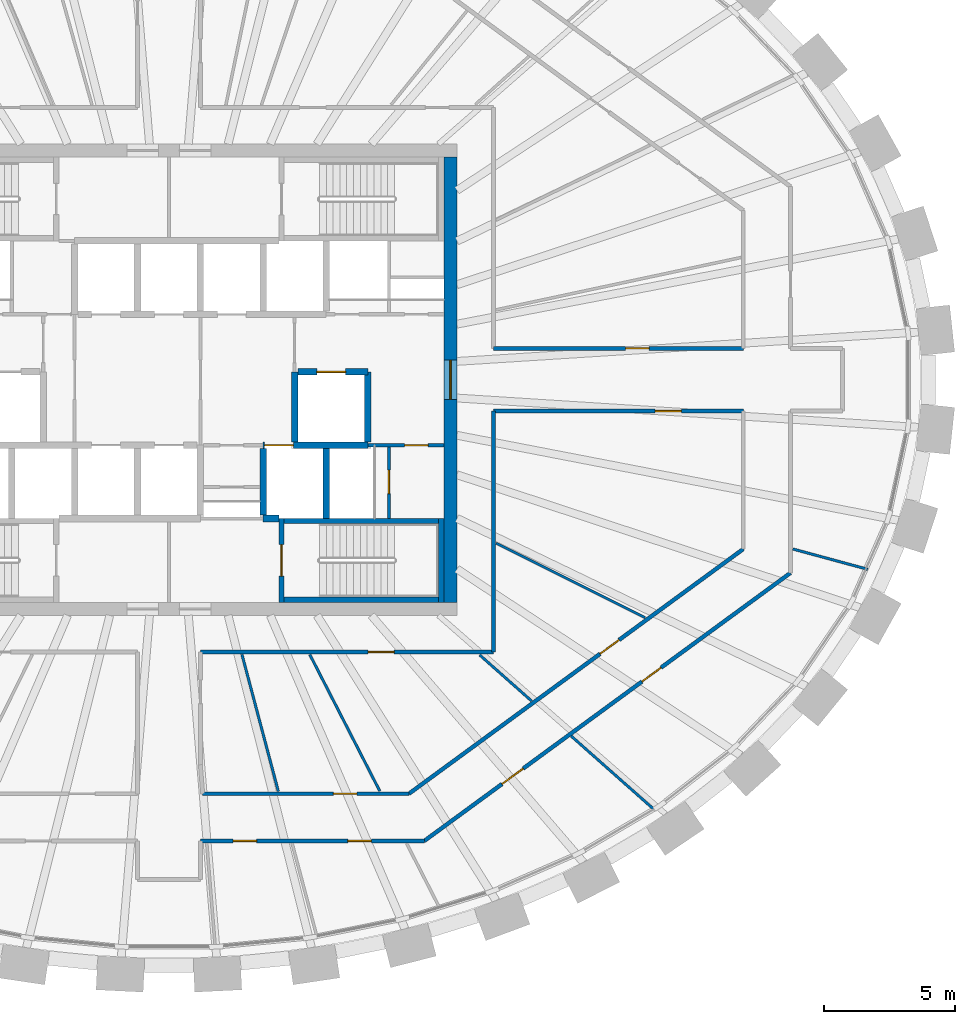
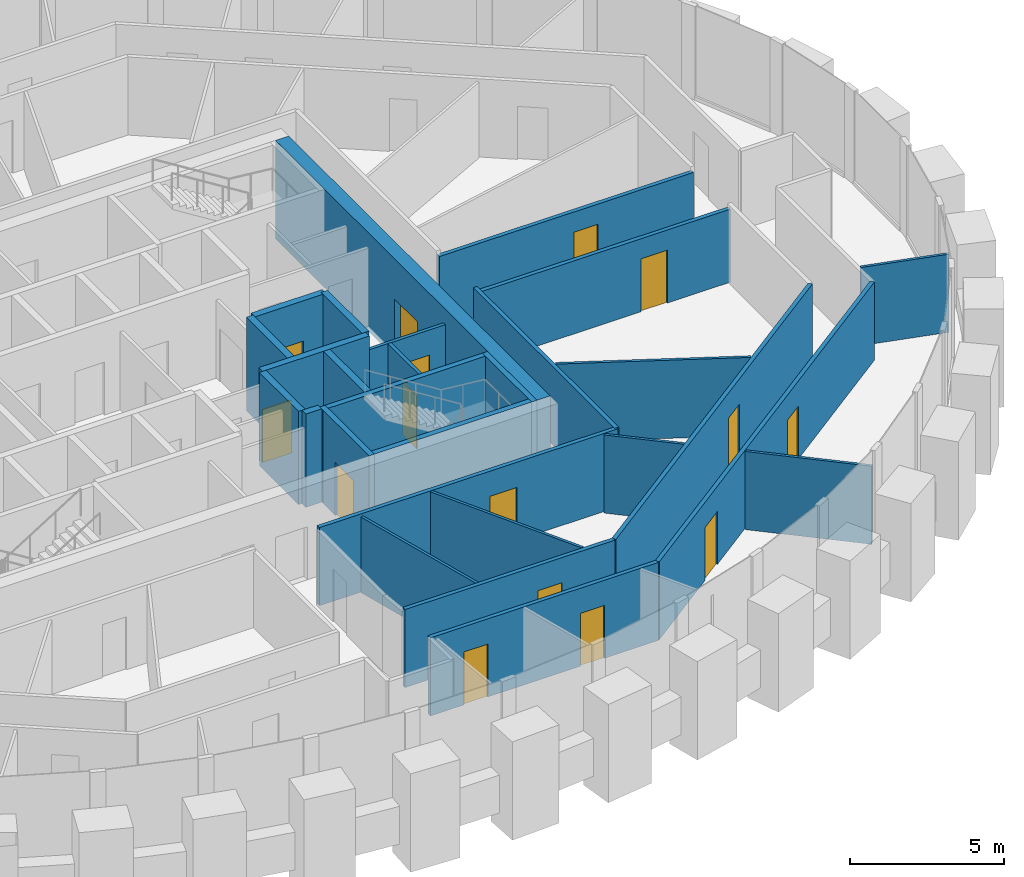
# One storey, part 8 of 11: 28 walls, 15 doors, 15 openings.
"""IFC4 building model written with IfcOpenShell, lengths in metres."""

from ifc_helpers import new_model, si_unit, direction, frame, frame_2d, origin, place, context, subcontext, project, spatial, rectangle, extrude, source, transform, mapped, material, layer, layer_set, type_object, element, fill, save


model = new_model("IFC4")

# Units and contexts
model_context = context("Model", 3, precision=1e-05, world=origin(), true_north=direction((0.0, 1.0)))
body_context = subcontext(model_context, "Body", "Model", "MODEL_VIEW")
ifc_project = project(units=[si_unit("LENGTHUNIT", "METRE"), si_unit("AREAUNIT", "SQUARE_METRE"), si_unit("VOLUMEUNIT", "CUBIC_METRE"), si_unit("PLANEANGLEUNIT", "RADIAN"), si_unit("MASSUNIT", "GRAM", prefix="KILO")], contexts=[model_context])

# Site, building, storey
site_placement = place(None, origin())
site = spatial("IfcSite", under=ifc_project, at=site_placement, CompositionType="ELEMENT")
building_placement = place(site_placement, origin())
building = spatial("IfcBuilding", under=site, at=building_placement, Name="Embergate Tower", CompositionType="ELEMENT")
storey_placement = place(building_placement, frame((0.0, 0.0, 324.699951171875)))
storey = spatial("IfcBuildingStorey", under=building, at=storey_placement, Name="L76", CompositionType="ELEMENT", Elevation=324.699951171875)

# Wall, opening, door
ifc_material_1 = material(Name="Concrete C50", Category="concrete")
ifc_layer_1 = layer(ifc_material_1, 0.5)
ifc_layer_set_1 = layer_set([ifc_layer_1], Name="Concrete C50")
wall_type_1 = type_object("IfcWallType", Name="Core outer wall C50 500", PredefinedType="SHEAR", material=ifc_layer_set_1)
shared_shape_1 = source(origin(), body_context, "Body", "SweptSolid", [
    extrude(rectangle(XDim=17.0, YDim=0.5, at=frame_2d((8.5, 0.0))), origin(), (0.0, 0.0, 1.0), 3.89990234375),
])
wall_1_placement = place(storey_placement, frame((10.75, -8.5, -0.199951171875), z_axis=(0.0, 0.0, 1.0), x_axis=(0.0, 1.0, 0.0)))
wall_1 = element("IfcWall", 1, at=wall_1_placement, inside=storey, type_object=wall_type_1, Name="CW-L76-E", PredefinedType="SHEAR", context=body_context, shape_type="MappedRepresentation", body=[
    mapped(shared_shape_1, transform((0.0, 0.0, 0.0))),
])
shared_shape_2 = source(origin(), body_context, "Body", "SweptSolid", [
    extrude(rectangle(XDim=1.5, YDim=2.10009765625, at=frame_2d((0.75, 1.050048828125))), frame((0.0, 0.260009765625, 0.0), z_axis=(0.0, -1.0, 0.0), x_axis=(1.0, 0.0, 0.0)), (0.0, 0.0, 1.0), 0.52001953125),
])
opening_1_placement = place(wall_1_placement, frame((7.75, 0.0, 0.199951171875)))
opening_1 = element("IfcOpeningElement", 2, at=opening_1_placement, cuts=wall_1, Name="Opening IF-3", PredefinedType="OPENING", context=body_context, shape_type="MappedRepresentation", body=[
    mapped(shared_shape_2, transform((0.0, 0.0, 0.0))),
])
ifc_material_2 = material(Name="Lobby fire door pair 1500")
door_type_1 = type_object("IfcDoorType", Name="Lobby fire door pair 1500", OperationType="DOUBLE_DOOR_SINGLE_SWING", PredefinedType="DOOR", material=ifc_material_2)
shared_shape_3 = source(origin(), body_context, "Body", "SweptSolid", [
    extrude(rectangle(XDim=1.5, YDim=2.10009765625, at=frame_2d((0.75, 1.050048828125))), frame((0.0, 0.02490234375, 0.0), z_axis=(0.0, -1.0, 0.0), x_axis=(1.0, 0.0, 0.0)), (0.0, 0.0, 1.0), 0.050048828125),
])
door_1_placement = place(opening_1_placement, origin())
door_1 = element("IfcDoor", 3, at=door_1_placement, inside=storey, type_object=door_type_1, Name="IF-3 door", OperationType="DOUBLE_DOOR_SINGLE_SWING", OverallHeight=2.10009765625, OverallWidth=1.5, PredefinedType="DOOR", context=body_context, shape_type="MappedRepresentation", body=[
    mapped(shared_shape_3, transform((0.0, 0.0, 0.0))),
])
fill(opening_1, door_1)

# Walls
ifc_layer_2 = layer(ifc_material_1, 0.25)
ifc_layer_set_2 = layer_set([ifc_layer_2], Name="Concrete C50")
wall_type_2 = type_object("IfcWallType", Name="Hoistway wall reinforced concrete 250", PredefinedType="SHEAR", material=ifc_layer_set_2)
shared_shape_4 = source(origin(), body_context, "Body", "SweptSolid", [
    extrude(rectangle(XDim=2.675048828125, YDim=0.25, at=frame_2d((1.33740234375, 0.0))), origin(), (0.0, 0.0, 1.0), 3.699951171875),
])
for number, where, z_axis, x_axis, name in (
    (4, (6.0, -5.300048828125, 0.0), (0.0, 0.0, 1.0), (0.0, 1.0, 0.0), "HW-1 wall"),
    (5, (4.800048828125, -2.375, 0.0), (0.0, 0.0, 1.0), (0.0, 1.0, 0.0), "HW-1 wall"),
):
    element("IfcWall", number, at=place(storey_placement, frame(where, z_axis=z_axis, x_axis=x_axis)), inside=storey, type_object=wall_type_2, Name=name, PredefinedType="SHEAR", context=body_context, shape_type="MappedRepresentation", body=[
        mapped(shared_shape_4, transform((0.0, 0.0, 0.0))),
    ])

# Wall, opening, door
wall_2_placement = place(storey_placement, frame((7.60009765625, 0.300048828125, 0.0), z_axis=(0.0, 0.0, 1.0), x_axis=(-1.0, 0.0, 0.0)))
wall_2 = element("IfcWall", 6, at=wall_2_placement, inside=storey, type_object=wall_type_2, Name="HW-1 wall", PredefinedType="SHEAR", context=body_context, shape_type="MappedRepresentation", body=[
    mapped(shared_shape_4, transform((0.0, 0.0, 0.0))),
])
shared_shape_5 = source(origin(), body_context, "Body", "SweptSolid", [
    extrude(rectangle(XDim=1.10009765625, YDim=2.10009765625, at=frame_2d((0.550048828125, 1.050048828125))), frame((0.0, 0.135009765625, 0.0), z_axis=(0.0, -1.0, 0.0), x_axis=(1.0, 0.0, 0.0)), (0.0, 0.0, 1.0), 0.27001953125),
])
opening_2_placement = place(wall_2_placement, frame((0.85009765625, 0.0, 0.0)))
opening_2 = element("IfcOpeningElement", 7, at=opening_2_placement, cuts=wall_2, Name="Opening LD", PredefinedType="OPENING", context=body_context, shape_type="MappedRepresentation", body=[
    mapped(shared_shape_5, transform((0.0, 0.0, 0.0))),
])
ifc_material_3 = material(Name="Landing door sliding 1100")
door_type_2 = type_object("IfcDoorType", Name="Landing door sliding 1100", OperationType="SLIDING_TO_LEFT", PredefinedType="DOOR", material=ifc_material_3)
shared_shape_6 = source(origin(), body_context, "Body", "SweptSolid", [
    extrude(rectangle(XDim=1.10009765625, YDim=2.10009765625, at=frame_2d((0.550048828125, 1.050048828125))), frame((0.0, 0.02490234375, 0.0), z_axis=(0.0, -1.0, 0.0), x_axis=(1.0, 0.0, 0.0)), (0.0, 0.0, 1.0), 0.050048828125),
])
door_2_placement = place(opening_2_placement, origin())
door_2 = element("IfcDoor", 8, at=door_2_placement, inside=storey, type_object=door_type_2, Name="LD door", OperationType="SLIDING_TO_RIGHT", OverallHeight=2.10009765625, OverallWidth=1.10009765625, PredefinedType="DOOR", context=body_context, shape_type="MappedRepresentation", body=[
    mapped(shared_shape_6, transform((0.0, 0.0, 0.0))),
])
fill(opening_2, door_2)

# Walls
wall_3_placement = place(storey_placement, frame((7.60009765625, -2.375, 0.0), z_axis=(0.0, 0.0, 1.0), x_axis=(0.0, 1.0, 0.0)))
element("IfcWall", 9, at=wall_3_placement, inside=storey, type_object=wall_type_2, Name="HW-1 wall", PredefinedType="SHEAR", context=body_context, shape_type="MappedRepresentation", body=[
    mapped(shared_shape_4, transform((0.0, 0.0, 0.0))),
])
ifc_layer_3 = layer(ifc_material_1, 0.199951171875)
ifc_layer_set_3 = layer_set([ifc_layer_3], Name="Concrete C50")
wall_type_3 = type_object("IfcWallType", Name="Stair enclosure wall reinforced concrete 250", PredefinedType="SHEAR", material=ifc_layer_set_3)
shared_shape_7 = source(origin(), body_context, "Body", "SweptSolid", [
    extrude(rectangle(XDim=6.300048828125, YDim=0.199951171875, at=frame_2d((3.14990234375, 0.0))), origin(), (0.0, 0.0, 1.0), 3.699951171875),
])
wall_4_placement = place(storey_placement, frame((4.199951171875, -5.39990234375, 0.0), z_axis=(0.0, 0.0, 1.0), x_axis=(1.0, 0.0, 0.0)))
element("IfcWall", 10, at=wall_4_placement, inside=storey, type_object=wall_type_3, Name="SE-1 wall", PredefinedType="SHEAR", context=body_context, shape_type="MappedRepresentation", body=[
    mapped(shared_shape_7, transform((0.0, 0.0, 0.0))),
])

# Wall, opening, door
ifc_material_4 = material(Name="Core partition blockwork 120")
ifc_layer_4 = layer(ifc_material_4, 0.1201171875)
ifc_layer_set_4 = layer_set([ifc_layer_4], Name="Core partition blockwork 120")
wall_type_4 = type_object("IfcWallType", Name="Core partition blockwork 120", PredefinedType="PARTITIONING", material=ifc_layer_set_4)
shared_shape_8 = source(origin(), body_context, "Body", "SweptSolid", [
    extrude(rectangle(XDim=2.739990234375, YDim=0.1201171875, at=frame_2d((1.3701171875, 0.0))), origin(), (0.0, 0.0, 1.0), 3.10009765625),
])
wall_5_placement = place(storey_placement, frame((8.39990234375, -5.300048828125, 0.0), z_axis=(0.0, 0.0, 1.0), x_axis=(0.0, 1.0, 0.0)))
wall_5 = element("IfcWall", 11, at=wall_5_placement, inside=storey, type_object=wall_type_4, Name="IP-3 wall", PredefinedType="PARTITIONING", context=body_context, shape_type="MappedRepresentation", body=[
    mapped(shared_shape_8, transform((0.0, 0.0, 0.0))),
])
shared_shape_9 = source(origin(), body_context, "Body", "SweptSolid", [
    extrude(rectangle(XDim=0.89990234375, YDim=2.10009765625, at=frame_2d((0.449951171875, 1.050048828125))), frame((0.0, 0.070068359375, 0.0), z_axis=(0.0, -1.0, 0.0), x_axis=(1.0, 0.0, 0.0)), (0.0, 0.0, 1.0), 0.14013671875),
])
opening_3_placement = place(wall_5_placement, frame((0.949951171875, 0.0, 0.0)))
opening_3 = element("IfcOpeningElement", 12, at=opening_3_placement, cuts=wall_5, Name="Opening ID-1", PredefinedType="OPENING", context=body_context, shape_type="MappedRepresentation", body=[
    mapped(shared_shape_9, transform((0.0, 0.0, 0.0))),
])
ifc_material_5 = material(Name="Interior door 900")
door_type_3 = type_object("IfcDoorType", Name="Interior door 900", OperationType="SINGLE_SWING_LEFT", PredefinedType="DOOR", material=ifc_material_5)
shared_shape_10 = source(origin(), body_context, "Body", "SweptSolid", [
    extrude(rectangle(XDim=0.89990234375, YDim=2.10009765625, at=frame_2d((0.449951171875, 1.050048828125))), frame((0.0, 0.02490234375, 0.0), z_axis=(0.0, -1.0, 0.0), x_axis=(1.0, 0.0, 0.0)), (0.0, 0.0, 1.0), 0.050048828125),
])
door_3_placement = place(opening_3_placement, origin())
door_3 = element("IfcDoor", 13, at=door_3_placement, inside=storey, type_object=door_type_3, Name="ID-1 door", OperationType="SINGLE_SWING_RIGHT", OverallHeight=2.10009765625, OverallWidth=0.89990234375, PredefinedType="DOOR", context=body_context, shape_type="MappedRepresentation", body=[
    mapped(shared_shape_10, transform((0.0, 0.0, 0.0))),
])
fill(opening_3, door_3)

# Wall
shared_shape_11 = source(origin(), body_context, "Body", "SweptSolid", [
    extrude(rectangle(XDim=2.550048828125, YDim=0.25, at=frame_2d((1.27490234375, 0.0))), origin(), (0.0, 0.0, 1.0), 3.699951171875),
])
wall_6_placement = place(storey_placement, frame((3.60009765625, -2.625, 0.0), z_axis=(0.0, 0.0, 1.0), x_axis=(0.0, -1.0, 0.0)))
element("IfcWall", 14, at=wall_6_placement, inside=storey, type_object=wall_type_2, Name="HW-1 wall", PredefinedType="SHEAR", context=body_context, shape_type="MappedRepresentation", body=[
    mapped(shared_shape_11, transform((0.0, 0.0, 0.0))),
])

# Wall, opening, door
shared_shape_12 = source(origin(), body_context, "Body", "SweptSolid", [
    extrude(rectangle(XDim=3.199951171875, YDim=0.199951171875, at=frame_2d((1.60009765625, 0.0))), origin(), (0.0, 0.0, 1.0), 3.699951171875),
])
wall_7_placement = place(storey_placement, frame((4.300048828125, -5.300048828125, 0.0), z_axis=(0.0, 0.0, 1.0), x_axis=(0.0, -1.0, 0.0)))
wall_7 = element("IfcWall", 15, at=wall_7_placement, inside=storey, type_object=wall_type_3, Name="SE-1 wall", PredefinedType="SHEAR", context=body_context, shape_type="MappedRepresentation", body=[
    mapped(shared_shape_12, transform((0.0, 0.0, 0.0))),
])
shared_shape_13 = source(origin(), body_context, "Body", "SweptSolid", [
    extrude(rectangle(XDim=1.199951171875, YDim=2.10009765625, at=frame_2d((0.60009765625, 1.050048828125))), frame((0.0, 0.10986328125, 0.0), z_axis=(0.0, -1.0, 0.0), x_axis=(1.0, 0.0, 0.0)), (0.0, 0.0, 1.0), 0.219970703125),
])
opening_4_placement = place(wall_7_placement, frame((1.0, 0.0, 0.0)))
opening_4 = element("IfcOpeningElement", 16, at=opening_4_placement, cuts=wall_7, Name="Opening IF-2", PredefinedType="OPENING", context=body_context, shape_type="MappedRepresentation", body=[
    mapped(shared_shape_13, transform((0.0, 0.0, 0.0))),
])
ifc_material_6 = material(Name="Stair enclosure door 1200")
door_type_4 = type_object("IfcDoorType", Name="Stair enclosure door 1200", OperationType="SINGLE_SWING_LEFT", PredefinedType="DOOR", material=ifc_material_6)
shared_shape_14 = source(origin(), body_context, "Body", "SweptSolid", [
    extrude(rectangle(XDim=1.199951171875, YDim=2.10009765625, at=frame_2d((0.60009765625, 1.050048828125))), frame((0.0, 0.02490234375, 0.0), z_axis=(0.0, -1.0, 0.0), x_axis=(1.0, 0.0, 0.0)), (0.0, 0.0, 1.0), 0.050048828125),
])
door_4_placement = place(opening_4_placement, origin())
door_4 = element("IfcDoor", 17, at=door_4_placement, inside=storey, type_object=door_type_4, Name="IF-2 door", OperationType="SINGLE_SWING_RIGHT", OverallHeight=2.10009765625, OverallWidth=1.199951171875, PredefinedType="DOOR", context=body_context, shape_type="MappedRepresentation", body=[
    mapped(shared_shape_14, transform((0.0, 0.0, 0.0))),
])
fill(opening_4, door_4)

# Wall
shared_shape_15 = source(origin(), body_context, "Body", "SweptSolid", [
    extrude(rectangle(XDim=0.599853515625, YDim=0.25, at=frame_2d((0.2998046875, 0.0))), origin(), (0.0, 0.0, 1.0), 3.699951171875),
])
wall_8_placement = place(storey_placement, frame((3.60009765625, -5.300048828125, 0.0), z_axis=(0.0, 0.0, 1.0), x_axis=(1.0, 0.0, 0.0)))
element("IfcWall", 18, at=wall_8_placement, inside=storey, type_object=wall_type_2, Name="HW-1 wall", PredefinedType="SHEAR", context=body_context, shape_type="MappedRepresentation", body=[
    mapped(shared_shape_15, transform((0.0, 0.0, 0.0))),
])

# Wall, opening, door
shared_shape_16 = source(origin(), body_context, "Body", "SweptSolid", [
    extrude(rectangle(XDim=4.0, YDim=0.25, at=frame_2d((2.0, 0.0))), origin(), (0.0, 0.0, 1.0), 3.699951171875),
])
wall_9_placement = place(storey_placement, frame((7.60009765625, -2.5, 0.0), z_axis=(0.0, 0.0, 1.0), x_axis=(-1.0, 0.0, 0.0)))
wall_9 = element("IfcWall", 19, at=wall_9_placement, inside=storey, type_object=wall_type_2, Name="HW-1 wall", PredefinedType="SHEAR", context=body_context, shape_type="MappedRepresentation", body=[
    mapped(shared_shape_16, transform((0.0, 0.0, 0.0))),
])
opening_5_placement = place(wall_9_placement, frame((2.85009765625, 0.0, 0.0)))
opening_5 = element("IfcOpeningElement", 20, at=opening_5_placement, cuts=wall_9, Name="Opening LD", PredefinedType="OPENING", context=body_context, shape_type="MappedRepresentation", body=[
    mapped(shared_shape_5, transform((0.0, 0.0, 0.0))),
])
door_5_placement = place(opening_5_placement, origin())
door_5 = element("IfcDoor", 21, at=door_5_placement, inside=storey, type_object=door_type_2, Name="LD door", OperationType="SLIDING_TO_RIGHT", OverallHeight=2.10009765625, OverallWidth=1.10009765625, PredefinedType="DOOR", context=body_context, shape_type="MappedRepresentation", body=[
    mapped(shared_shape_6, transform((0.0, 0.0, 0.0))),
])
fill(opening_5, door_5)

# Walls
shared_shape_17 = source(origin(), body_context, "Body", "SweptSolid", [
    extrude(rectangle(XDim=6.298095703125, YDim=0.199951171875, at=frame_2d((3.14892578125, 0.0))), origin(), (0.0, 0.0, 1.0), 3.699951171875),
])
wall_10_placement = place(storey_placement, frame((4.201904296875, -8.39990234375, 0.0), z_axis=(0.0, 0.0, 1.0), x_axis=(1.0, 0.0, 0.0)))
element("IfcWall", 22, at=wall_10_placement, inside=storey, type_object=wall_type_3, Name="SE-1 wall", PredefinedType="SHEAR", context=body_context, shape_type="MappedRepresentation", body=[
    mapped(shared_shape_17, transform((0.0, 0.0, 0.0))),
])
shared_shape_18 = source(origin(), body_context, "Body", "SweptSolid", [
    extrude(rectangle(XDim=3.197998046875, YDim=0.199951171875, at=frame_2d((1.59912109375, 0.0))), origin(), (0.0, 0.0, 1.0), 3.699951171875),
])
wall_11_placement = place(storey_placement, frame((10.39990234375, -8.5, 0.0), z_axis=(0.0, 0.0, 1.0), x_axis=(0.0, 1.0, 0.0)))
element("IfcWall", 23, at=wall_11_placement, inside=storey, type_object=wall_type_3, Name="SE-1 wall", PredefinedType="SHEAR", context=body_context, shape_type="MappedRepresentation", body=[
    mapped(shared_shape_18, transform((0.0, 0.0, 0.0))),
])
ifc_material_7 = material(Name="Corridor wall dry-lined 150")
ifc_layer_5 = layer(ifc_material_7, 0.14990234375)
ifc_layer_set_5 = layer_set([ifc_layer_5], Name="Corridor wall dry-lined 150")
wall_type_5 = type_object("IfcWallType", Name="Corridor wall dry-lined 150", PredefinedType="PARTITIONING", material=ifc_layer_set_5)
shared_shape_19 = source(origin(), body_context, "Body", "SweptSolid", [
    extrude(rectangle(XDim=9.199951171875, YDim=0.14990234375, at=frame_2d((4.60009765625, 0.0))), origin(), (0.0, 0.0, 1.0), 3.10009765625),
])
wall_12_placement = place(storey_placement, frame((12.39990234375, -1.199951171875, 0.0), z_axis=(0.0, 0.0, 1.0), x_axis=(0.0, -1.0, 0.0)))
element("IfcWall", 24, at=wall_12_placement, inside=storey, type_object=wall_type_5, Name="IP-2 wall", PredefinedType="PARTITIONING", context=body_context, shape_type="MappedRepresentation", body=[
    mapped(shared_shape_19, transform((0.0, 0.0, 0.0))),
])

# Wall, opening, door
shared_shape_20 = source(origin(), body_context, "Body", "SweptSolid", [
    extrude(rectangle(XDim=11.199951171875, YDim=0.14990234375, at=frame_2d((5.60009765625, 0.0))), origin(), (0.0, 0.0, 1.0), 3.10009765625),
])
wall_13_placement = place(storey_placement, frame((1.199951171875, -10.39990234375, 0.0), z_axis=(0.0, 0.0, 1.0), x_axis=(1.0, 0.0, 0.0)))
wall_13 = element("IfcWall", 25, at=wall_13_placement, inside=storey, type_object=wall_type_5, Name="IP-2 wall", PredefinedType="PARTITIONING", context=body_context, shape_type="MappedRepresentation", body=[
    mapped(shared_shape_20, transform((0.0, 0.0, 0.0))),
])
shared_shape_21 = source(origin(), body_context, "Body", "SweptSolid", [
    extrude(rectangle(XDim=1.0, YDim=2.10009765625, at=frame_2d((0.5, 1.050048828125))), frame((0.0, 0.0849609375, 0.0), z_axis=(0.0, -1.0, 0.0), x_axis=(1.0, 0.0, 0.0)), (0.0, 0.0, 1.0), 0.169921875),
])
opening_6_placement = place(wall_13_placement, frame((6.403076171875, 0.0, 0.0)))
opening_6 = element("IfcOpeningElement", 26, at=opening_6_placement, cuts=wall_13, Name="Opening ID-2", PredefinedType="OPENING", context=body_context, shape_type="MappedRepresentation", body=[
    mapped(shared_shape_21, transform((0.0, 0.0, 0.0))),
])
ifc_material_8 = material(Name="Interior door 1000")
door_type_5 = type_object("IfcDoorType", Name="Interior door 1000", OperationType="SINGLE_SWING_LEFT", PredefinedType="DOOR", material=ifc_material_8)
shared_shape_22 = source(origin(), body_context, "Body", "SweptSolid", [
    extrude(rectangle(XDim=1.0, YDim=2.10009765625, at=frame_2d((0.5, 1.050048828125))), frame((0.0, 0.02490234375, 0.0), z_axis=(0.0, -1.0, 0.0), x_axis=(1.0, 0.0, 0.0)), (0.0, 0.0, 1.0), 0.050048828125),
])
door_6_placement = place(opening_6_placement, origin())
door_6 = element("IfcDoor", 27, at=door_6_placement, inside=storey, type_object=door_type_5, Name="ID-2 door", OperationType="SINGLE_SWING_LEFT", OverallHeight=2.10009765625, OverallWidth=1.0, PredefinedType="DOOR", context=body_context, shape_type="MappedRepresentation", body=[
    mapped(shared_shape_22, transform((0.0, 0.0, 0.0))),
])
fill(opening_6, door_6)

shared_shape_23 = source(origin(), body_context, "Body", "SweptSolid", [
    extrude(rectangle(XDim=2.89990234375, YDim=0.1201171875, at=frame_2d((1.449951171875, 0.0))), origin(), (0.0, 0.0, 1.0), 3.10009765625),
])
wall_14_placement = place(storey_placement, frame((10.5, -2.5, 0.0), z_axis=(0.0, 0.0, 1.0), x_axis=(-1.0, 0.0, 0.0)))
wall_14 = element("IfcWall", 28, at=wall_14_placement, inside=storey, type_object=wall_type_4, Name="IP-3 wall", PredefinedType="PARTITIONING", context=body_context, shape_type="MappedRepresentation", body=[
    mapped(shared_shape_23, transform((0.0, 0.0, 0.0))),
])
opening_7_placement = place(wall_14_placement, frame((0.60009765625, 0.0, 0.0)))
opening_7 = element("IfcOpeningElement", 29, at=opening_7_placement, cuts=wall_14, Name="Opening ID-1", PredefinedType="OPENING", context=body_context, shape_type="MappedRepresentation", body=[
    mapped(shared_shape_9, transform((0.0, 0.0, 0.0))),
])
door_7_placement = place(opening_7_placement, origin())
door_7 = element("IfcDoor", 30, at=door_7_placement, inside=storey, type_object=door_type_3, Name="ID-1 door", OperationType="SINGLE_SWING_RIGHT", OverallHeight=2.10009765625, OverallWidth=0.89990234375, PredefinedType="DOOR", context=body_context, shape_type="MappedRepresentation", body=[
    mapped(shared_shape_10, transform((0.0, 0.0, 0.0))),
])
fill(opening_7, door_7)

# Wall, openings, doors
shared_shape_24 = source(origin(), body_context, "Body", "SweptSolid", [
    extrude(rectangle(XDim=17.3251953125, YDim=0.14990234375, at=frame_2d((8.66259765625, 0.0))), origin(), (0.0, 0.0, 1.0), 3.10009765625),
])
wall_15_placement = place(storey_placement, frame((9.751953125, -17.611083984375, 0.0), z_axis=(0.0, 0.0, 1.0), x_axis=(0.806969554432, 0.590593039427, 0.0)))
wall_15 = element("IfcWall", 31, at=wall_15_placement, inside=storey, type_object=wall_type_5, Name="IP-2 wall", PredefinedType="PARTITIONING", context=body_context, shape_type="MappedRepresentation", body=[
    mapped(shared_shape_24, transform((0.0, 0.0, 0.0))),
])
opening_8_placement = place(wall_15_placement, frame((3.677490234375, 0.0, 0.0)))
opening_8 = element("IfcOpeningElement", 32, at=opening_8_placement, cuts=wall_15, Name="Opening ID-2", PredefinedType="OPENING", context=body_context, shape_type="MappedRepresentation", body=[
    mapped(shared_shape_21, transform((0.0, 0.0, 0.0))),
])
shared_shape_25 = source(origin(), body_context, "Body", "SweptSolid", [
    extrude(rectangle(XDim=0.89990234375, YDim=2.10009765625, at=frame_2d((0.449951171875, 1.050048828125))), frame((0.0, 0.0849609375, 0.0), z_axis=(0.0, -1.0, 0.0), x_axis=(1.0, 0.0, 0.0)), (0.0, 0.0, 1.0), 0.169921875),
])
opening_9_placement = place(wall_15_placement, frame((10.303955078125, 0.0, 0.0)))
opening_9 = element("IfcOpeningElement", 33, at=opening_9_placement, cuts=wall_15, Name="Opening IF-1c", PredefinedType="OPENING", context=body_context, shape_type="MappedRepresentation", body=[
    mapped(shared_shape_25, transform((0.0, 0.0, 0.0))),
])
ifc_material_9 = material(Name="Escape fire door 900")
door_type_6 = type_object("IfcDoorType", Name="Escape fire door 900", OperationType="SINGLE_SWING_LEFT", PredefinedType="DOOR", material=ifc_material_9)
door_8_placement = place(opening_9_placement, origin())
door_8 = element("IfcDoor", 34, at=door_8_placement, inside=storey, type_object=door_type_6, Name="IF-1 door", OperationType="SINGLE_SWING_LEFT", OverallHeight=2.10009765625, OverallWidth=0.89990234375, PredefinedType="DOOR", context=body_context, shape_type="MappedRepresentation", body=[
    mapped(shared_shape_10, transform((0.0, 0.0, 0.0))),
])
fill(opening_9, door_8)
door_9_placement = place(opening_8_placement, origin())
door_9 = element("IfcDoor", 35, at=door_9_placement, inside=storey, type_object=door_type_5, Name="ID-2 door", OperationType="SINGLE_SWING_RIGHT", OverallHeight=2.10009765625, OverallWidth=1.0, PredefinedType="DOOR", context=body_context, shape_type="MappedRepresentation", body=[
    mapped(shared_shape_22, transform((0.0, 0.0, 0.0))),
])
fill(opening_8, door_9)

# Wall, opening, door
shared_shape_26 = source(origin(), body_context, "Body", "SweptSolid", [
    extrude(rectangle(XDim=15.82470703125, YDim=0.14990234375, at=frame_2d((7.912353515625, 0.0))), origin(), (0.0, 0.0, 1.0), 3.10009765625),
])
wall_16_placement = place(storey_placement, frame((9.1630859375, -15.81103515625, 0.0), z_axis=(0.0, 0.0, 1.0), x_axis=(0.80696917181, 0.590593562231, 0.0)))
wall_16 = element("IfcWall", 36, at=wall_16_placement, inside=storey, type_object=wall_type_5, Name="IP-2 wall", PredefinedType="PARTITIONING", context=body_context, shape_type="MappedRepresentation", body=[
    mapped(shared_shape_26, transform((0.0, 0.0, 0.0))),
])
opening_10_placement = place(wall_16_placement, frame((9.046875, 0.0, 0.0)))
opening_10 = element("IfcOpeningElement", 37, at=opening_10_placement, cuts=wall_16, Name="Opening IF-1c", PredefinedType="OPENING", context=body_context, shape_type="MappedRepresentation", body=[
    mapped(shared_shape_25, transform((0.0, 0.0, 0.0))),
])
door_10_placement = place(opening_10_placement, origin())
door_10 = element("IfcDoor", 38, at=door_10_placement, inside=storey, type_object=door_type_6, Name="IF-1 door", OperationType="SINGLE_SWING_LEFT", OverallHeight=2.10009765625, OverallWidth=0.89990234375, PredefinedType="DOOR", context=body_context, shape_type="MappedRepresentation", body=[
    mapped(shared_shape_10, transform((0.0, 0.0, 0.0))),
])
fill(opening_10, door_10)

# Wall, openings, doors
shared_shape_27 = source(origin(), body_context, "Body", "SweptSolid", [
    extrude(rectangle(XDim=8.552001953125, YDim=0.14990234375, at=frame_2d((4.27587890625, 0.0))), origin(), (0.0, 0.0, 1.0), 3.10009765625),
])
wall_17_placement = place(storey_placement, frame((9.751953125, -17.611083984375, 0.0), z_axis=(0.0, 0.0, 1.0), x_axis=(-1.0, 0.0, 0.0)))
wall_17 = element("IfcWall", 39, at=wall_17_placement, inside=storey, type_object=wall_type_5, Name="IP-2 wall", PredefinedType="PARTITIONING", context=body_context, shape_type="MappedRepresentation", body=[
    mapped(shared_shape_27, transform((0.0, 0.0, 0.0))),
])
opening_11_placement = place(wall_17_placement, frame((6.39990234375, 0.0, 0.0)))
opening_11 = element("IfcOpeningElement", 40, at=opening_11_placement, cuts=wall_17, Name="Opening IF-1c", PredefinedType="OPENING", context=body_context, shape_type="MappedRepresentation", body=[
    mapped(shared_shape_25, transform((0.0, 0.0, 0.0))),
])
opening_12_placement = place(wall_17_placement, frame((2.020751953125, 0.0, 0.0)))
opening_12 = element("IfcOpeningElement", 41, at=opening_12_placement, cuts=wall_17, Name="Opening IF-1c", PredefinedType="OPENING", context=body_context, shape_type="MappedRepresentation", body=[
    mapped(shared_shape_25, transform((0.0, 0.0, 0.0))),
])
door_11_placement = place(opening_11_placement, origin())
door_11 = element("IfcDoor", 42, at=door_11_placement, inside=storey, type_object=door_type_6, Name="IF-1 door", OperationType="SINGLE_SWING_LEFT", OverallHeight=2.10009765625, OverallWidth=0.89990234375, PredefinedType="DOOR", context=body_context, shape_type="MappedRepresentation", body=[
    mapped(shared_shape_10, transform((0.0, 0.0, 0.0))),
])
fill(opening_11, door_11)
door_12_placement = place(opening_12_placement, origin())
door_12 = element("IfcDoor", 43, at=door_12_placement, inside=storey, type_object=door_type_6, Name="IF-1 door", OperationType="SINGLE_SWING_RIGHT", OverallHeight=2.10009765625, OverallWidth=0.89990234375, PredefinedType="DOOR", context=body_context, shape_type="MappedRepresentation", body=[
    mapped(shared_shape_10, transform((0.0, 0.0, 0.0))),
])
fill(opening_12, door_12)

# Wall, opening, door
shared_shape_28 = source(origin(), body_context, "Body", "SweptSolid", [
    extrude(rectangle(XDim=7.873046875, YDim=0.14990234375, at=frame_2d((3.9365234375, 0.0))), origin(), (0.0, 0.0, 1.0), 3.10009765625),
])
wall_18_placement = place(storey_placement, frame((9.1630859375, -15.81103515625, 0.0), z_axis=(0.0, 0.0, 1.0), x_axis=(-1.0, 0.0, 0.0)))
wall_18 = element("IfcWall", 44, at=wall_18_placement, inside=storey, type_object=wall_type_5, Name="IP-2 wall", PredefinedType="PARTITIONING", context=body_context, shape_type="MappedRepresentation", body=[
    mapped(shared_shape_28, transform((0.0, 0.0, 0.0))),
])
opening_13_placement = place(wall_18_placement, frame((1.9814453125, 0.0, 0.0)))
opening_13 = element("IfcOpeningElement", 45, at=opening_13_placement, cuts=wall_18, Name="Opening IF-1c", PredefinedType="OPENING", context=body_context, shape_type="MappedRepresentation", body=[
    mapped(shared_shape_25, transform((0.0, 0.0, 0.0))),
])
door_13_placement = place(opening_13_placement, origin())
door_13 = element("IfcDoor", 46, at=door_13_placement, inside=storey, type_object=door_type_6, Name="IF-1 door", OperationType="SINGLE_SWING_RIGHT", OverallHeight=2.10009765625, OverallWidth=0.89990234375, PredefinedType="DOOR", context=body_context, shape_type="MappedRepresentation", body=[
    mapped(shared_shape_10, transform((0.0, 0.0, 0.0))),
])
fill(opening_13, door_13)

shared_shape_29 = source(origin(), body_context, "Body", "SweptSolid", [
    extrude(rectangle(XDim=9.533203125, YDim=0.14990234375, at=frame_2d((4.7666015625, 0.0))), origin(), (0.0, 0.0, 1.0), 2.900146484375),
])
wall_19_placement = place(storey_placement, frame((21.93310546875, -1.199951171875, 0.0), z_axis=(0.0, 0.0, 1.0), x_axis=(-1.0, 0.0, 0.0)))
wall_19 = element("IfcWall", 47, at=wall_19_placement, inside=storey, type_object=wall_type_5, Name="IP-2 wall", PredefinedType="PARTITIONING", context=body_context, shape_type="MappedRepresentation", body=[
    mapped(shared_shape_29, transform((0.0, 0.0, 0.0))),
])
opening_14_placement = place(wall_19_placement, frame((2.36279296875, 0.0, 0.0)))
opening_14 = element("IfcOpeningElement", 48, at=opening_14_placement, cuts=wall_19, Name="Opening ID-2", PredefinedType="OPENING", context=body_context, shape_type="MappedRepresentation", body=[
    mapped(shared_shape_21, transform((0.0, 0.0, 0.0))),
])
door_14_placement = place(opening_14_placement, origin())
door_14 = element("IfcDoor", 49, at=door_14_placement, inside=storey, type_object=door_type_5, Name="ID-2 door", OperationType="SINGLE_SWING_RIGHT", OverallHeight=2.10009765625, OverallWidth=1.0, PredefinedType="DOOR", context=body_context, shape_type="MappedRepresentation", body=[
    mapped(shared_shape_22, transform((0.0, 0.0, 0.0))),
])
fill(opening_14, door_14)

wall_20_placement = place(storey_placement, frame((12.39990234375, 1.199951171875, 0.0), z_axis=(0.0, 0.0, 1.0), x_axis=(1.0, 0.0, 0.0)))
wall_20 = element("IfcWall", 50, at=wall_20_placement, inside=storey, type_object=wall_type_5, Name="IP-2 wall", PredefinedType="PARTITIONING", context=body_context, shape_type="MappedRepresentation", body=[
    mapped(shared_shape_29, transform((0.0, 0.0, 0.0))),
])
opening_15_placement = place(wall_20_placement, frame((5.0390625, 0.0, 0.0)))
opening_15 = element("IfcOpeningElement", 51, at=opening_15_placement, cuts=wall_20, Name="Opening IF-1c", PredefinedType="OPENING", context=body_context, shape_type="MappedRepresentation", body=[
    mapped(shared_shape_25, transform((0.0, 0.0, 0.0))),
])
door_15_placement = place(opening_15_placement, origin())
door_15 = element("IfcDoor", 52, at=door_15_placement, inside=storey, type_object=door_type_6, Name="IF-1 door", OperationType="SINGLE_SWING_RIGHT", OverallHeight=2.10009765625, OverallWidth=0.89990234375, PredefinedType="DOOR", context=body_context, shape_type="MappedRepresentation", body=[
    mapped(shared_shape_10, transform((0.0, 0.0, 0.0))),
])
fill(opening_15, door_15)

# Walls
ifc_material_10 = material(Name="Partition dry-lined 100")
ifc_layer_6 = layer(ifc_material_10, 0.10009765625)
ifc_layer_set_6 = layer_set([ifc_layer_6], Name="Partition dry-lined 100")
wall_type_6 = type_object("IfcWallType", Name="Partition dry-lined 100", PredefinedType="PARTITIONING", material=ifc_layer_set_6)
shared_shape_30 = source(origin(), body_context, "Body", "SweptSolid", [
    extrude(rectangle(XDim=4.20703125, YDim=0.10009765625, at=frame_2d((2.103515625, 0.0))), origin(), (0.0, 0.0, 1.0), 3.10009765625),
])
wall_21_placement = place(storey_placement, frame((15.364013671875, -13.610107421875, 0.0), z_axis=(0.0, 0.0, 1.0), x_axis=(0.748500116383, -0.663134658855, 0.0)))
element("IfcWall", 53, at=wall_21_placement, inside=storey, type_object=wall_type_6, Name="IP-1 wall", PredefinedType="PARTITIONING", context=body_context, shape_type="MappedRepresentation", body=[
    mapped(shared_shape_30, transform((0.0, 0.0, 0.0))),
])
shared_shape_31 = source(origin(), body_context, "Body", "SweptSolid", [
    extrude(rectangle(XDim=5.41650390625, YDim=0.10009765625, at=frame_2d((2.708251953125, 0.0))), origin(), (0.0, 0.0, 1.0), 3.0),
])
wall_22_placement = place(storey_placement, frame((2.787109375, -10.488037109375, 0.0), z_axis=(0.0, 0.0, 1.0), x_axis=(0.256784450069, -0.966468699029, 0.0)))
element("IfcWall", 54, at=wall_22_placement, inside=storey, type_object=wall_type_6, Name="IP-1 wall", PredefinedType="PARTITIONING", context=body_context, shape_type="MappedRepresentation", body=[
    mapped(shared_shape_31, transform((0.0, 0.0, 0.0))),
])
shared_shape_32 = source(origin(), body_context, "Body", "SweptSolid", [
    extrude(rectangle(XDim=5.85986328125, YDim=0.10009765625, at=frame_2d((2.929931640625, 0.0))), origin(), (0.0, 0.0, 1.0), 3.10009765625),
])
wall_23_placement = place(storey_placement, frame((5.381103515625, -10.498046875, 0.0), z_axis=(0.0, 0.0, 1.0), x_axis=(0.456123786711, -0.889916339437, 0.0)))
element("IfcWall", 55, at=wall_23_placement, inside=storey, type_object=wall_type_6, Name="IP-1 wall", PredefinedType="PARTITIONING", context=body_context, shape_type="MappedRepresentation", body=[
    mapped(shared_shape_32, transform((0.0, 0.0, 0.0))),
])
shared_shape_33 = source(origin(), body_context, "Body", "SweptSolid", [
    extrude(rectangle(XDim=2.654541015625, YDim=0.10009765625, at=frame_2d((1.3271484375, 0.0))), origin(), (0.0, 0.0, 1.0), 3.10009765625),
])
wall_24_placement = place(storey_placement, frame((11.866943359375, -10.511962890625, 0.0), z_axis=(0.0, 0.0, 1.0), x_axis=(0.748580354295, -0.66304408086, 0.0)))
element("IfcWall", 56, at=wall_24_placement, inside=storey, type_object=wall_type_6, Name="IP-1 wall", PredefinedType="PARTITIONING", context=body_context, shape_type="MappedRepresentation", body=[
    mapped(shared_shape_33, transform((0.0, 0.0, 0.0))),
])
shared_shape_34 = source(origin(), body_context, "Body", "SweptSolid", [
    extrude(rectangle(XDim=2.96435546875, YDim=0.10009765625, at=frame_2d((1.482177734375, 0.0))), origin(), (0.0, 0.0, 1.0), 3.10009765625),
])
wall_25_placement = place(storey_placement, frame((26.681884765625, -7.239013671875, 0.0), z_axis=(0.0, 0.0, 1.0), x_axis=(-0.965114580933, 0.261827893223, 0.0)))
element("IfcWall", 57, at=wall_25_placement, inside=storey, type_object=wall_type_6, Name="IP-1 wall", PredefinedType="PARTITIONING", context=body_context, shape_type="MappedRepresentation", body=[
    mapped(shared_shape_34, transform((0.0, 0.0, 0.0))),
])
shared_shape_35 = source(origin(), body_context, "Body", "SweptSolid", [
    extrude(rectangle(XDim=6.35986328125, YDim=0.10009765625, at=frame_2d((3.179931640625, 0.0))), origin(), (0.0, 0.0, 1.0), 3.10009765625),
])
wall_26_placement = place(storey_placement, frame((12.4970703125, -6.243896484375, 0.0), z_axis=(0.0, 0.0, 1.0), x_axis=(0.894519303439, -0.447029323172, 0.0)))
element("IfcWall", 58, at=wall_26_placement, inside=storey, type_object=wall_type_6, Name="IP-1 wall", PredefinedType="PARTITIONING", context=body_context, shape_type="MappedRepresentation", body=[
    mapped(shared_shape_35, transform((0.0, 0.0, 0.0))),
])

save(model, "model.ifc")
